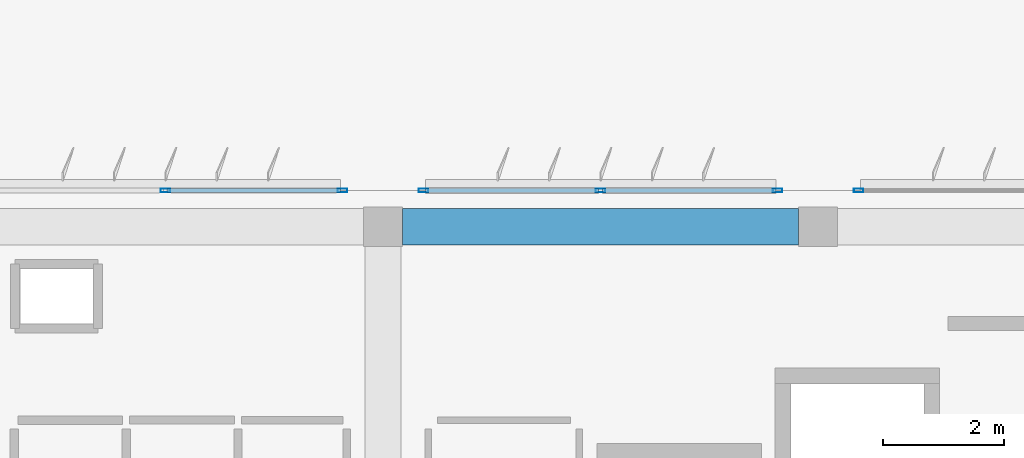
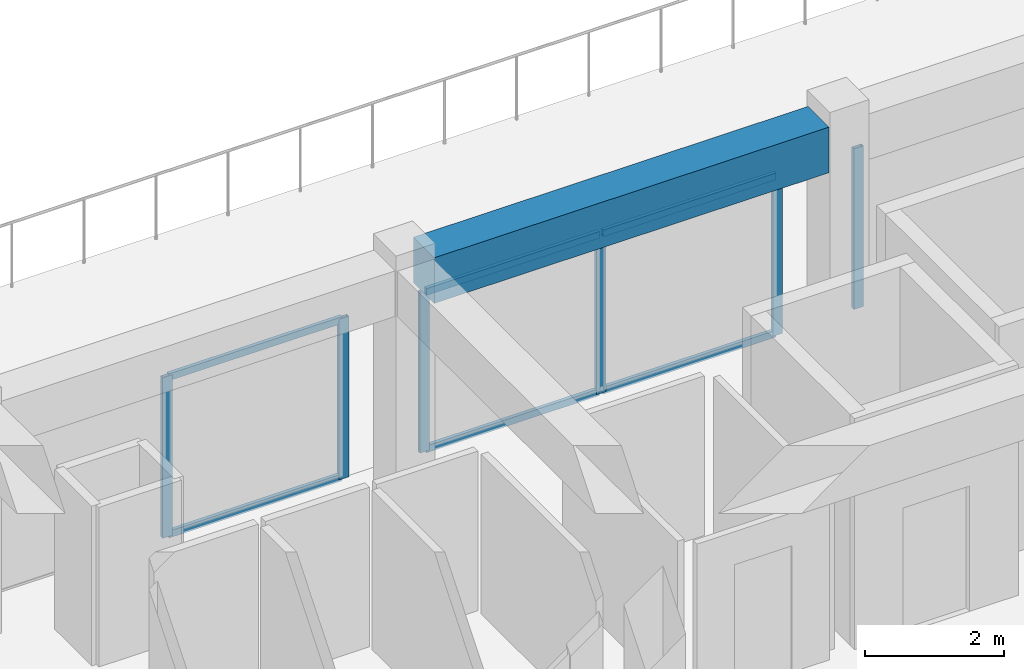
# One storey, part 20 of 42: 12 members, 1 beam, 3 elements without a shape of their own.
"""IFC4 building model written with IfcOpenShell, lengths in metres."""

import ifcopenshell
import ifcopenshell.guid

model = None  # the IFC model being written
_history = None  # IfcOwnerHistory: only IFC2X3 demands one
_inside = {}  # id of a spatial element -> (the spatial element, [elements in it])
_under = {}  # id of a project, library or spatial element -> (it, [spatial elements below it])
_declared = {}  # id of a project -> (the project, [libraries it declares])
_typed = {}  # id of a type object -> (the type object, [elements of that type])
_made_of = {}  # id of a material, layer set ... -> (it, [elements and type objects made of it])


def new_model(schema):
    """Start an empty IFC model of exactly this schema.

    Asked for "IFC4X3", IfcOpenShell would pick the latest addendum, in which some entities
    have other attributes; the version numbers below select the first issue.
    IFC2X3 requires an IfcOwnerHistory on every rooted entity: one is made here for all.
    """
    global model, _history
    if schema == "IFC4X3":
        model = ifcopenshell.file(schema_version=(4, 3, 0, 0))
    else:
        model = ifcopenshell.file(schema=schema)
    _inside.clear()
    _under.clear()
    _declared.clear()
    _typed.clear()
    _made_of.clear()
    _history = None
    if model.schema == "IFC2X3":
        org = make("IfcOrganization", Name="unknown")
        user = make(
            "IfcPersonAndOrganization",
            ThePerson=make("IfcPerson", FamilyName="unknown"),
            TheOrganization=org,
        )
        app = make(
            "IfcApplication",
            ApplicationDeveloper=org,
            Version="unknown",
            ApplicationFullName="unknown",
            ApplicationIdentifier="unknown",
        )
        _history = make(
            "IfcOwnerHistory",
            OwningUser=user,
            OwningApplication=app,
            ChangeAction="ADDED",
            CreationDate=0,
        )
    return model


def make(cls, **values):
    """One entity of the class cls with the attributes given. An attribute that is None is left unset."""
    return model.create_entity(
        cls, **{name: value for name, value in values.items() if value is not None}
    )


def rooted(cls, **values):
    """An entity with a GlobalId (a new one), such as an element, a storey or a relation."""
    return make(cls, GlobalId=ifcopenshell.guid.new(), OwnerHistory=_history, **values)


def si_unit(unit_type, name, prefix=None):
    """IfcSIUnit, for example si_unit("LENGTHUNIT", "METRE", prefix="MILLI")."""
    return make("IfcSIUnit", UnitType=unit_type, Prefix=prefix, Name=name)


def assignment(units):
    """IfcUnitAssignment: the units of a project."""
    return None if units is None else make("IfcUnitAssignment", Units=units)


def point(xyz):
    """IfcCartesianPoint."""
    return None if xyz is None else make("IfcCartesianPoint", Coordinates=xyz)


def direction(xyz):
    """IfcDirection."""
    return None if xyz is None else make("IfcDirection", DirectionRatios=xyz)


def frame(location, z_axis=None, x_axis=None):
    """IfcAxis2Placement3D, a coordinate frame: its origin and axes. An axis left out is left unset."""
    return make(
        "IfcAxis2Placement3D",
        Location=point(location),
        Axis=direction(z_axis),
        RefDirection=direction(x_axis),
    )


def frame_2d(location, x_axis=None):
    """IfcAxis2Placement2D, a coordinate frame in the plane: its origin and x axis."""
    return make(
        "IfcAxis2Placement2D", Location=point(location), RefDirection=direction(x_axis)
    )


def origin():
    """The frame at (0, 0, 0) with its axes left unset."""
    return frame((0.0, 0.0, 0.0))


def origin_2d():
    """The frame at (0, 0) in the plane with its x axis left unset."""
    return frame_2d((0.0, 0.0))


def place(relative_to, where):
    """IfcLocalPlacement: puts the frame where relative to a parent placement (None: the world)."""
    return make(
        "IfcLocalPlacement", PlacementRelTo=relative_to, RelativePlacement=where
    )


def context(
    kind, dimensions, precision=None, world=None, true_north=None, identifier=None
):
    """IfcGeometricRepresentationContext, for example the 3D "Model" context."""
    return make(
        "IfcGeometricRepresentationContext",
        ContextIdentifier=identifier,
        ContextType=kind,
        CoordinateSpaceDimension=dimensions,
        Precision=precision,
        WorldCoordinateSystem=world,
        TrueNorth=true_north,
    )


def subcontext(parent, identifier, kind, view, scale=None):
    """IfcGeometricRepresentationSubContext, for example "Body" below "Model"."""
    return make(
        "IfcGeometricRepresentationSubContext",
        ContextIdentifier=identifier,
        ContextType=kind,
        ParentContext=parent,
        TargetScale=scale,
        TargetView=view,
    )


def project(units=None, contexts=None):
    """IfcProject with its units and contexts."""
    return rooted(
        "IfcProject",
        Name="project",
        RepresentationContexts=contexts,
        UnitsInContext=assignment(units),
    )


def spatial(cls, under=None, at=None, **own):
    """A site, building, storey or space (cls), placed at a placement, below another one or the project."""
    s = rooted(cls, ObjectPlacement=at, **own)
    if under is not None:
        _under.setdefault(under.id(), (under, []))[1].append(s)
    return s


def profile(cls, at=None, kind="AREA", **sizes):
    """A parametric profile (cls). Its sizes go by their IFC names, for example OverallWidth=200.0."""
    return make(cls, ProfileType=kind, Position=at, **sizes)


def rectangle(**sizes):
    """IfcRectangleProfileDef."""
    return profile("IfcRectangleProfileDef", **sizes)


def hollow_rectangle(**sizes):
    """IfcRectangleHollowProfileDef."""
    return profile("IfcRectangleHollowProfileDef", **sizes)


def extrude(swept, where, along, depth):
    """IfcExtrudedAreaSolid: the profile swept, set in the frame where, extruded along a direction by depth."""
    return make(
        "IfcExtrudedAreaSolid",
        SweptArea=swept,
        Position=where,
        ExtrudedDirection=direction(along),
        Depth=depth,
    )


def shape(context_of_items, identifier, shape_type, items):
    """IfcShapeRepresentation: the items that make up one representation, for example the "Body"."""
    return make(
        "IfcShapeRepresentation",
        ContextOfItems=context_of_items,
        RepresentationIdentifier=identifier,
        RepresentationType=shape_type,
        Items=items,
    )


def material(Name=None, Category=None):
    """IfcMaterial."""
    return make("IfcMaterial", Name=Name, Category=Category)


def material_profile(
    of_material, cross_section, Name=None, Category=None, Priority=None
):
    """IfcMaterialProfile: a cross section and its material."""
    return make(
        "IfcMaterialProfile",
        Name=Name,
        Material=of_material,
        Profile=cross_section,
        Priority=Priority,
        Category=Category,
    )


def profile_set(profiles, Name=None, composite=None):
    """IfcMaterialProfileSet."""
    return make(
        "IfcMaterialProfileSet",
        Name=Name,
        MaterialProfiles=profiles,
        CompositeProfile=composite,
    )


def made_of(thing, what):
    """Note that an element or type object is made of a material, layer set ...; save() writes the relation."""
    if what is not None:
        _made_of.setdefault(what.id(), (what, []))[1].append(thing)
    return thing


def type_object(cls, material=None, **own):
    """A type object (cls), such as IfcWallType, which elements share."""
    return made_of(rooted(cls, **own), material)


def element(
    cls,
    number,
    at=None,
    inside=None,
    cuts=None,
    type_object=None,
    material=None,
    context=None,
    identifier="Body",
    shape_type=None,
    held_by="IfcProductDefinitionShape",
    body=None,
    shapes=None,
    **own,
):
    """One element of the class cls, such as IfcWall. Its Tag is "e" and its number.

    at: its placement. inside: the storey or other place that contains it. cuts: it is an
    opening in that element (IfcRelVoidsElement). A single representation is given by context,
    identifier, shape_type and body (its items); several are given by shapes. held_by: the class
    of the entity that holds the representations. save() writes the other relations.
    """
    e = rooted(cls, Tag="e%d" % number, ObjectPlacement=at, **own)
    if body is not None:
        shapes = [shape(context, identifier, shape_type, body)]
    if shapes is not None:
        e.Representation = make(held_by, Representations=shapes)
    if inside is not None:
        _inside.setdefault(inside.id(), (inside, []))[1].append(e)
    if cuts is not None:
        rooted(
            "IfcRelVoidsElement", RelatingBuildingElement=cuts, RelatedOpeningElement=e
        )
    if type_object is not None:
        _typed.setdefault(type_object.id(), (type_object, []))[1].append(e)
    return made_of(e, material)


def aggregate(whole, parts):
    """IfcRelAggregates: a whole, such as a stair, and the parts it consists of."""
    return rooted("IfcRelAggregates", RelatingObject=whole, RelatedObjects=parts)


def save(model, path):
    """Write the relations noted so far, then the file.

    IfcRelAggregates (storeys below a building ...), IfcRelContainedInSpatialStructure (elements
    in a storey), IfcRelDefinesByType, IfcRelAssociatesMaterial and IfcRelDeclares: one each for
    every whole, place, type object, material and project.
    """
    for whole, parts in _under.values():
        aggregate(whole, parts)
    for where, things in _inside.values():
        rooted(
            "IfcRelContainedInSpatialStructure",
            RelatedElements=things,
            RelatingStructure=where,
        )
    for kind, things in _typed.values():
        rooted("IfcRelDefinesByType", RelatedObjects=things, RelatingType=kind)
    for what, things in _made_of.values():
        rooted("IfcRelAssociatesMaterial", RelatedObjects=things, RelatingMaterial=what)
    for by, libraries in _declared.values():
        rooted("IfcRelDeclares", RelatingContext=by, RelatedDefinitions=libraries)
    model.write(path)


model = new_model("IFC4")

# Units and contexts
model_context = context("Model", 3, precision=1e-05, world=origin(), true_north=direction((0.0, 1.0)))
body_context = subcontext(model_context, "Body", "Model", "MODEL_VIEW")
ifc_project = project(units=[si_unit("LENGTHUNIT", "METRE"), si_unit("AREAUNIT", "SQUARE_METRE"), si_unit("VOLUMEUNIT", "CUBIC_METRE"), si_unit("PLANEANGLEUNIT", "RADIAN"), si_unit("MASSUNIT", "GRAM", prefix="KILO")], contexts=[model_context])

# Site, building, storey
site_placement = place(None, origin())
site = spatial("IfcSite", under=ifc_project, at=site_placement, CompositionType="ELEMENT")
building_placement = place(site_placement, origin())
building = spatial("IfcBuilding", under=site, at=building_placement, Name="Kazehaya Institute of Natural Sciences", CompositionType="ELEMENT")
storey_placement = place(building_placement, frame((0.0, 0.0, 37.6201171875)))
storey = spatial("IfcBuildingStorey", under=building, at=storey_placement, Name="L08", CompositionType="ELEMENT", Elevation=37.6201171875)

# Beam
ifc_material_1 = material(Name="Concrete Fc36", Category="concrete")
ifc_material_profile_1 = material_profile(ifc_material_1, rectangle(XDim=0.60009765625, YDim=0.800048828125, at=origin_2d()), Name="RC-600x800")
ifc_profile_set_1 = profile_set([ifc_material_profile_1], Name="Concrete Fc36")
beam_type = type_object("IfcBeamType", Name="BM-G-600x800", PredefinedType="BEAM", material=ifc_profile_set_1)
beam_placement = place(storey_placement, frame((90.925048828125, 28.39990234375, 3.64990234375), z_axis=(1.0, 0.0, 0.0), x_axis=(0.0, 1.0, 0.0)))
element("IfcBeam", 1, at=beam_placement, inside=storey, type_object=beam_type, Name="L08 primary X girder BMX-L08-906-284", PredefinedType="BEAM", context=body_context, shape_type="SweptSolid", body=[
    extrude(rectangle(XDim=0.60009765625, YDim=0.800048828125, at=origin_2d()), origin(), (0.0, 0.0, 1.0), 6.550048828125),
])

# Curtain wall, members
ifc_material_2 = material(Name="Aluminium alloy A6063S-T5", Category="aluminium")
curtain_wall_type = type_object("IfcCurtainWallType", Name="CW-SYS-05", PredefinedType="NOTDEFINED", material=ifc_material_2)
curtain_wall_1_placement = place(storey_placement, origin())
curtain_wall_1 = element("IfcCurtainWall", 2, at=curtain_wall_1_placement, inside=storey, type_object=curtain_wall_type, Name="L08 unitised curtain wall CW-L08-189", PredefinedType="NOTDEFINED")
ifc_material_profile_2 = material_profile(ifc_material_2, hollow_rectangle(XDim=0.06005859375, YDim=0.159912109375, WallThickness=0.00390625, at=origin_2d()), Name="ALU-60x160x4")
ifc_profile_set_2 = profile_set([ifc_material_profile_2], Name="Aluminium alloy A6063S-T5")
member_type_1 = type_object("IfcMemberType", Name="CWM-160", PredefinedType="MULLION", material=ifc_profile_set_2)
member_1_placement = place(storey_placement, frame((87.0, 29.0, 0.0), z_axis=(0.0, 0.0, 1.0), x_axis=(0.0, 1.0, 0.0)))
member_1 = element("IfcMember", 3, at=member_1_placement, type_object=member_type_1, Name="CW05 mullion 2", PredefinedType="MULLION", context=body_context, shape_type="SweptSolid", body=[
    extrude(hollow_rectangle(XDim=0.06005859375, YDim=0.159912109375, WallThickness=0.00390625, at=origin_2d()), origin(), (0.0, 0.0, 1.0), 2.81982421875),
])
member_2_placement = place(storey_placement, frame((89.929931640625, 29.0, 0.0), z_axis=(0.0, 0.0, 1.0), x_axis=(0.0, 1.0, 0.0)))
member_2 = element("IfcMember", 4, at=member_2_placement, type_object=member_type_1, Name="CW05 mullion 3", PredefinedType="MULLION", context=body_context, shape_type="SweptSolid", body=[
    extrude(hollow_rectangle(XDim=0.06005859375, YDim=0.159912109375, WallThickness=0.00390625, at=origin_2d()), origin(), (0.0, 0.0, 1.0), 2.81982421875),
])

curtain_wall_2_placement = place(storey_placement, origin())
curtain_wall_2 = element("IfcCurtainWall", 5, at=curtain_wall_2_placement, inside=storey, type_object=curtain_wall_type, Name="L08 unitised curtain wall CW-L08-190", PredefinedType="NOTDEFINED")
member_3_placement = place(storey_placement, frame((91.27001953125, 29.0, 0.0), z_axis=(0.0, 0.0, 1.0), x_axis=(0.0, 1.0, 0.0)))
member_3 = element("IfcMember", 6, at=member_3_placement, type_object=member_type_1, Name="CW05 mullion 1", PredefinedType="MULLION", context=body_context, shape_type="SweptSolid", body=[
    extrude(hollow_rectangle(XDim=0.06005859375, YDim=0.159912109375, WallThickness=0.00390625, at=origin_2d()), origin(), (0.0, 0.0, 1.0), 2.81982421875),
])
member_4_placement = place(storey_placement, frame((94.199951171875, 29.0, 0.0), z_axis=(0.0, 0.0, 1.0), x_axis=(0.0, 1.0, 0.0)))
member_4 = element("IfcMember", 7, at=member_4_placement, type_object=member_type_1, Name="CW05 mullion 2", PredefinedType="MULLION", context=body_context, shape_type="SweptSolid", body=[
    extrude(hollow_rectangle(XDim=0.06005859375, YDim=0.159912109375, WallThickness=0.00390625, at=origin_2d()), origin(), (0.0, 0.0, 1.0), 2.81982421875),
])
member_5_placement = place(storey_placement, frame((97.1298828125, 29.0, 0.0), z_axis=(0.0, 0.0, 1.0), x_axis=(0.0, 1.0, 0.0)))
member_5 = element("IfcMember", 8, at=member_5_placement, type_object=member_type_1, Name="CW05 mullion 3", PredefinedType="MULLION", context=body_context, shape_type="SweptSolid", body=[
    extrude(hollow_rectangle(XDim=0.06005859375, YDim=0.159912109375, WallThickness=0.00390625, at=origin_2d()), origin(), (0.0, 0.0, 1.0), 2.81982421875),
])

# Curtain wall, member
curtain_wall_3_placement = place(storey_placement, origin())
curtain_wall_3 = element("IfcCurtainWall", 9, at=curtain_wall_3_placement, inside=storey, type_object=curtain_wall_type, Name="L08 unitised curtain wall CW-L08-191", PredefinedType="NOTDEFINED")
member_6_placement = place(storey_placement, frame((98.469970703125, 29.0, 0.0), z_axis=(0.0, 0.0, 1.0), x_axis=(0.0, 1.0, 0.0)))
member_6 = element("IfcMember", 10, at=member_6_placement, type_object=member_type_1, Name="CW05 mullion 1", PredefinedType="MULLION", context=body_context, shape_type="SweptSolid", body=[
    extrude(hollow_rectangle(XDim=0.06005859375, YDim=0.159912109375, WallThickness=0.00390625, at=origin_2d()), origin(), (0.0, 0.0, 1.0), 2.81982421875),
])
aggregate(curtain_wall_3, [member_6])

# Member
ifc_material_profile_3 = material_profile(ifc_material_2, hollow_rectangle(XDim=0.06005859375, YDim=0.1201171875, WallThickness=0.00341796875, at=origin_2d()), Name="ALU-60x120x3.5")
ifc_profile_set_3 = profile_set([ifc_material_profile_3], Name="Aluminium alloy A6063S-T5")
member_type_2 = type_object("IfcMemberType", Name="CWT-120", PredefinedType="USERDEFINED", material=ifc_profile_set_3)
member_7_placement = place(storey_placement, frame((87.030029296875, 29.0, 0.02978515625), z_axis=(1.0, 0.0, 0.0), x_axis=(0.0, 1.0, 0.0)))
member_7 = element("IfcMember", 11, at=member_7_placement, type_object=member_type_2, Name="CW05 transom 2.1", ObjectType="TRANSOM", PredefinedType="USERDEFINED", context=body_context, shape_type="SweptSolid", body=[
    extrude(hollow_rectangle(XDim=0.06005859375, YDim=0.1201171875, WallThickness=0.00341796875, at=origin_2d()), origin(), (0.0, 0.0, 1.0), 2.869873046875),
])

member_8_placement = place(storey_placement, frame((87.030029296875, 29.0, 2.789794921875), z_axis=(1.0, 0.0, 0.0), x_axis=(0.0, 1.0, 0.0)))
member_8 = element("IfcMember", 12, at=member_8_placement, type_object=member_type_2, Name="CW05 transom 2.2", ObjectType="TRANSOM", PredefinedType="USERDEFINED", context=body_context, shape_type="SweptSolid", body=[
    extrude(hollow_rectangle(XDim=0.06005859375, YDim=0.1201171875, WallThickness=0.00341796875, at=origin_2d()), origin(), (0.0, 0.0, 1.0), 2.869873046875),
])

aggregate(curtain_wall_1, [member_1, member_2, member_7, member_8])

member_9_placement = place(storey_placement, frame((91.300048828125, 29.0, 0.02978515625), z_axis=(1.0, 0.0, 0.0), x_axis=(0.0, 1.0, 0.0)))
member_9 = element("IfcMember", 13, at=member_9_placement, type_object=member_type_2, Name="CW05 transom 1.1", ObjectType="TRANSOM", PredefinedType="USERDEFINED", context=body_context, shape_type="SweptSolid", body=[
    extrude(hollow_rectangle(XDim=0.06005859375, YDim=0.1201171875, WallThickness=0.00341796875, at=origin_2d()), origin(), (0.0, 0.0, 1.0), 2.869873046875),
])

member_10_placement = place(storey_placement, frame((91.300048828125, 29.0, 2.789794921875), z_axis=(1.0, 0.0, 0.0), x_axis=(0.0, 1.0, 0.0)))
member_10 = element("IfcMember", 14, at=member_10_placement, type_object=member_type_2, Name="CW05 transom 1.2", ObjectType="TRANSOM", PredefinedType="USERDEFINED", context=body_context, shape_type="SweptSolid", body=[
    extrude(hollow_rectangle(XDim=0.06005859375, YDim=0.1201171875, WallThickness=0.00341796875, at=origin_2d()), origin(), (0.0, 0.0, 1.0), 2.869873046875),
])

member_11_placement = place(storey_placement, frame((94.22998046875, 29.0, 0.02978515625), z_axis=(1.0, 0.0, 0.0), x_axis=(0.0, 1.0, 0.0)))
member_11 = element("IfcMember", 15, at=member_11_placement, type_object=member_type_2, Name="CW05 transom 2.1", ObjectType="TRANSOM", PredefinedType="USERDEFINED", context=body_context, shape_type="SweptSolid", body=[
    extrude(hollow_rectangle(XDim=0.06005859375, YDim=0.1201171875, WallThickness=0.00341796875, at=origin_2d()), origin(), (0.0, 0.0, 1.0), 2.8701171875),
])

member_12_placement = place(storey_placement, frame((94.22998046875, 29.0, 2.789794921875), z_axis=(1.0, 0.0, 0.0), x_axis=(0.0, 1.0, 0.0)))
member_12 = element("IfcMember", 16, at=member_12_placement, type_object=member_type_2, Name="CW05 transom 2.2", ObjectType="TRANSOM", PredefinedType="USERDEFINED", context=body_context, shape_type="SweptSolid", body=[
    extrude(hollow_rectangle(XDim=0.06005859375, YDim=0.1201171875, WallThickness=0.00341796875, at=origin_2d()), origin(), (0.0, 0.0, 1.0), 2.8701171875),
])

aggregate(curtain_wall_2, [member_3, member_4, member_5, member_9, member_10, member_11, member_12])

save(model, "model.ifc")
